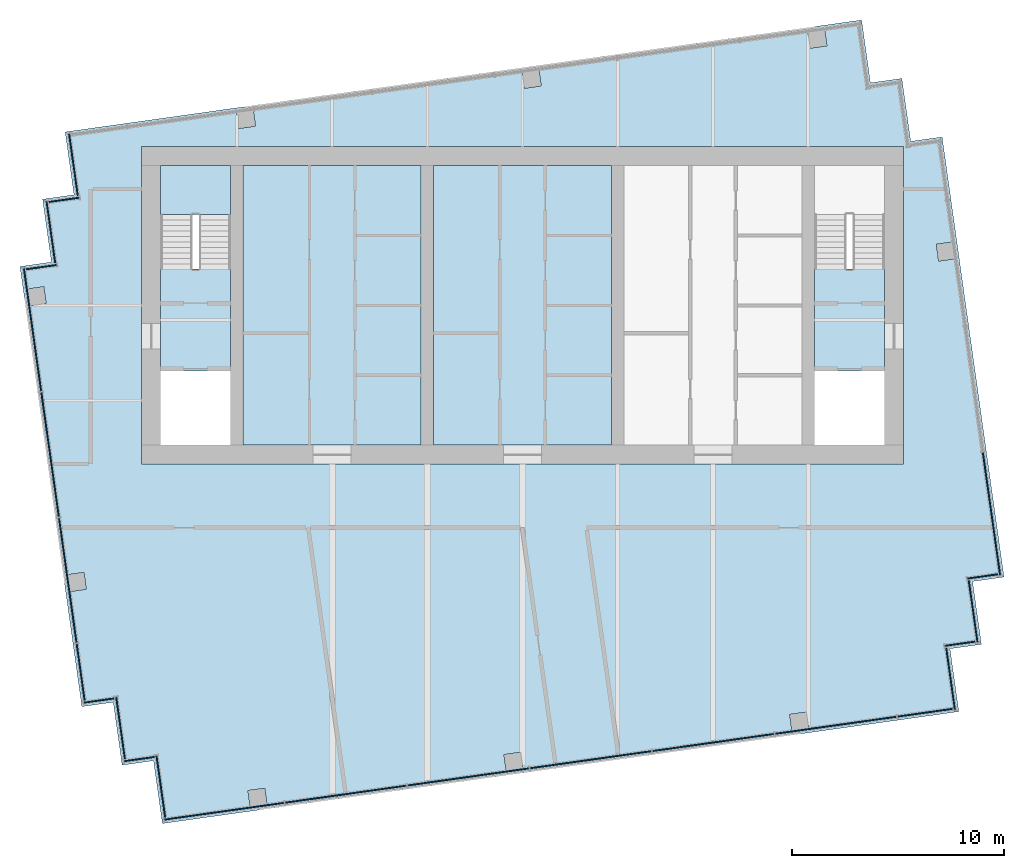
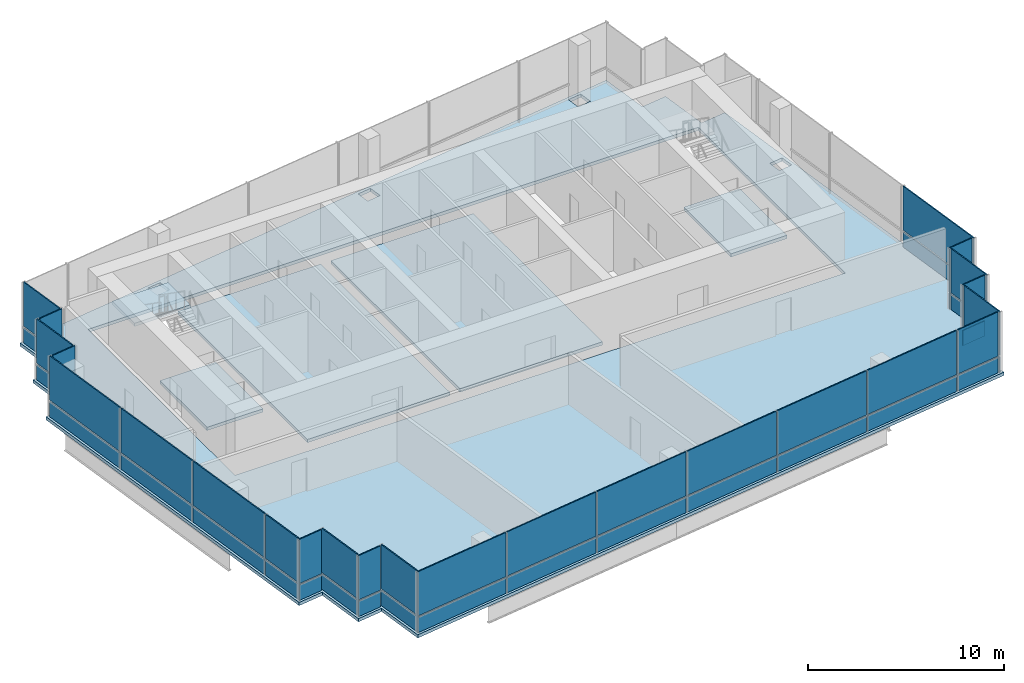
# One storey, part 6 of 10: 48 plates, 6 slabs, 16 elements without a shape of their own.
"""IFC4 building model written with IfcOpenShell, lengths in metres."""

from ifc_helpers import new_model, si_unit, direction, frame, origin, origin_2d, place, context, subcontext, project, spatial, polyline, rectangle, outline, extrude, material, layer, layer_set, type_object, element, aggregate, save


model = new_model("IFC4")

# Units and contexts
model_context = context("Model", 3, precision=1e-05, world=origin(), true_north=direction((0.0, 1.0)))
body_context = subcontext(model_context, "Body", "Model", "MODEL_VIEW")
ifc_project = project(units=[si_unit("LENGTHUNIT", "METRE"), si_unit("AREAUNIT", "SQUARE_METRE"), si_unit("VOLUMEUNIT", "CUBIC_METRE"), si_unit("PLANEANGLEUNIT", "RADIAN"), si_unit("MASSUNIT", "GRAM", prefix="KILO")], contexts=[model_context])

# Site, building, storey
site_placement = place(None, origin())
site = spatial("IfcSite", under=ifc_project, at=site_placement, CompositionType="ELEMENT")
building_placement = place(site_placement, origin())
building = spatial("IfcBuilding", under=site, at=building_placement, Name="Rattan Terrace Tower", CompositionType="ELEMENT")
storey_placement = place(building_placement, frame((0.0, 0.0, 300.300048828125)))
storey = spatial("IfcBuildingStorey", under=building, at=storey_placement, Name="C03", CompositionType="ELEMENT", Elevation=300.300048828125)

# Stair, slab
ifc_material_1 = material(Name="Concrete C40/50", Category="concrete")
stair_type = type_object("IfcStairType", Name="Core exit stair 1500", PredefinedType="HALF_TURN_STAIR", material=ifc_material_1)
stair_placement = place(storey_placement, origin())
stair = element("IfcStair", 1, at=stair_placement, inside=storey, type_object=stair_type, Name="C03 exit stair 1", PredefinedType="HALF_TURN_STAIR")
ifc_material_2 = material(Name="Concrete C40/50", Category="concrete")
ifc_layer_1 = layer(ifc_material_2, 0.199951171875)
ifc_layer_set_1 = layer_set([ifc_layer_1], Name="Core exit stair landing")
slab_type_1 = type_object("IfcSlabType", Name="Core exit stair landing", PredefinedType="LANDING", material=ifc_layer_set_1)
slab_1_placement = place(storey_placement, frame((0.0, 0.0, 1.800048828125)))
slab_1 = element("IfcSlab", 2, at=slab_1_placement, type_object=slab_type_1, Name="S1 landing 1", PredefinedType="LANDING", context=body_context, shape_type="SweptSolid", body=[
    extrude(outline(polyline([(-13.800048828125, 4.300048828125), (-13.800048828125, 6.60009765625), (-17.10009765625, 6.60009765625), (-17.10009765625, 4.300048828125), (-13.800048828125, 4.300048828125)])), origin(), (0.0, 0.0, 1.0), 0.199951171875),
])
aggregate(stair, [slab_1])

# Slabs
ifc_material_3 = material(Name="Concrete C35/45", Category="concrete")
ifc_layer_2 = layer(ifc_material_3, 0.199951171875)
ifc_layer_set_2 = layer_set([ifc_layer_2], Name="Frame composite floor slab 200")
slab_type_2 = type_object("IfcSlabType", Name="Frame composite floor slab 200", PredefinedType="FLOOR", material=ifc_layer_set_2)
slab_2_placement = place(storey_placement, frame((0.0, 0.0, -0.199951171875)))
element("IfcSlab", 3, at=slab_2_placement, inside=storey, type_object=slab_type_2, Name="Floor slab", PredefinedType="FLOOR", context=body_context, shape_type="SweptSolid", body=[
    extrude(outline(polyline([(-22.260986328125, 2.0458984375), (-23.7470703125, 1.8369140625), (-20.823974609375, -18.958984375), (-19.340087890625, -18.75), (-18.9208984375, -21.722900390625), (-17.43701171875, -21.514892578125), (-17.01904296875, -24.48388671875), (-16.52392578125, -24.4140625), (20.115966796875, -19.263916015625), (20.612060546875, -19.195068359375), (20.195068359375, -16.22509765625), (21.678955078125, -16.01611328125), (21.260986328125, -13.0458984375), (22.7470703125, -12.8369140625), (19.823974609375, 7.958984375), (18.340087890625, 7.75), (17.9208984375, 10.722900390625), (16.43701171875, 10.514892578125), (16.01904296875, 13.48388671875), (15.52392578125, 13.4140625), (-21.115966796875, 8.263916015625), (-21.612060546875, 8.195068359375), (-21.195068359375, 5.22509765625), (-22.678955078125, 5.01611328125), (-22.260986328125, 2.0458984375)]), holes=[polyline([(-12.0732421875, -23.6064453125), (-12.1845703125, -22.814208984375), (-12.976806640625, -22.925537109375), (-12.865478515625, -23.7177734375), (-12.0732421875, -23.6064453125)]), polyline([(0.022705078125, -21.906494140625), (-0.088623046875, -21.1142578125), (-0.880859375, -21.2255859375), (-0.769287109375, -22.017822265625), (0.022705078125, -21.906494140625)]), polyline([(-20.7255859375, -12.619140625), (-21.517822265625, -12.730712890625), (-21.406494140625, -13.522705078125), (-20.6142578125, -13.411376953125), (-20.7255859375, -12.619140625)]), polyline([(-18.0, -6.60009765625), (-18.0, -7.5), (18.0, -7.5), (18.0, -6.60009765625), (18.0, 6.60009765625), (18.0, 7.5), (-18.0, 7.5), (-18.0, 6.60009765625), (-18.0, -6.60009765625)]), polyline([(-22.51123046875, 0.088623046875), (-22.62255859375, 0.880859375), (-23.414794921875, 0.769287109375), (-23.303466796875, -0.022705078125), (-22.51123046875, 0.088623046875)]), polyline([(-12.619140625, 8.468505859375), (-12.730712890625, 9.2607421875), (-13.522705078125, 9.1494140625), (-13.411376953125, 8.357177734375), (-12.619140625, 8.468505859375)]), polyline([(13.522705078125, -20.009521484375), (13.411376953125, -19.21728515625), (12.619140625, -19.32861328125), (12.730712890625, -20.120849609375), (13.522705078125, -20.009521484375)]), polyline([(20.45068359375, 2.20556640625), (20.33935546875, 2.997802734375), (19.547119140625, 2.886474609375), (19.65869140625, 2.09423828125), (20.45068359375, 2.20556640625)]), polyline([(0.088623046875, 10.255126953125), (0.880859375, 10.36669921875), (0.769287109375, 11.15869140625), (-0.022705078125, 11.04736328125), (0.088623046875, 10.255126953125)]), polyline([(13.588623046875, 12.152099609375), (14.380859375, 12.263671875), (14.269287109375, 13.055908203125), (13.477294921875, 12.9443359375), (13.588623046875, 12.152099609375)])]), origin(), (0.0, 0.0, 1.0), 0.199951171875),
])
slab_3_placement = place(storey_placement, frame((0.0, 0.0, -0.199951171875)))
element("IfcSlab", 4, at=slab_3_placement, inside=storey, type_object=slab_type_2, Name="Floor slab", PredefinedType="FLOOR", context=body_context, shape_type="SweptSolid", body=[
    extrude(outline(polyline([(-13.199951171875, 6.60009765625), (-13.199951171875, -6.60009765625), (-4.800048828125, -6.60009765625), (-4.800048828125, 6.60009765625), (-13.199951171875, 6.60009765625)])), origin(), (0.0, 0.0, 1.0), 0.199951171875),
])
slab_4_placement = place(storey_placement, frame((0.0, 0.0, -0.199951171875)))
element("IfcSlab", 5, at=slab_4_placement, inside=storey, type_object=slab_type_2, Name="Floor slab", PredefinedType="FLOOR", context=body_context, shape_type="SweptSolid", body=[
    extrude(outline(polyline([(-4.199951171875, 6.60009765625), (-4.199951171875, -6.60009765625), (4.199951171875, -6.60009765625), (4.199951171875, 6.60009765625), (-4.199951171875, 6.60009765625)])), origin(), (0.0, 0.0, 1.0), 0.199951171875),
])
slab_5_placement = place(storey_placement, frame((0.0, 0.0, -0.199951171875)))
element("IfcSlab", 6, at=slab_5_placement, inside=storey, type_object=slab_type_2, Name="Floor slab", PredefinedType="FLOOR", context=body_context, shape_type="SweptSolid", body=[
    extrude(outline(polyline([(-13.800048828125, -3.10009765625), (-13.800048828125, 1.7099609375), (-17.10009765625, 1.7099609375), (-17.10009765625, -3.10009765625), (-13.800048828125, -3.10009765625)])), origin(), (0.0, 0.0, 1.0), 0.199951171875),
])
slab_6_placement = place(storey_placement, frame((0.0, 0.0, -0.199951171875)))
element("IfcSlab", 7, at=slab_6_placement, inside=storey, type_object=slab_type_2, Name="Floor slab", PredefinedType="FLOOR", context=body_context, shape_type="SweptSolid", body=[
    extrude(outline(polyline([(13.800048828125, -3.10009765625), (17.10009765625, -3.10009765625), (17.10009765625, 1.7099609375), (13.800048828125, 1.7099609375), (13.800048828125, -3.10009765625)])), origin(), (0.0, 0.0, 1.0), 0.199951171875),
])

# Curtain wall, plates
ifc_material_4 = material(Name="Aluminium and laminated glass", Category="aluminium")
ifc_layer_3 = layer(ifc_material_4, 0.239990234375)
ifc_layer_set_3 = layer_set([ifc_layer_3], Name="Lantern Stick Curtain Wall")
curtain_wall_type = type_object("IfcCurtainWallType", Name="Lantern Stick Curtain Wall", PredefinedType="NOTDEFINED", material=ifc_layer_set_3)
curtain_wall_1_placement = place(storey_placement, origin())
curtain_wall_1 = element("IfcCurtainWall", 8, at=curtain_wall_1_placement, inside=storey, type_object=curtain_wall_type, Name="Lantern curtain wall C03-1", PredefinedType="NOTDEFINED")
ifc_material_5 = material(Name="Laminated low-iron glass", Category="glass")
ifc_layer_4 = layer(ifc_material_5, 0.06591796875)
ifc_layer_set_4 = layer_set([ifc_layer_4], Name="Lantern CW Laminated Panel")
plate_type = type_object("IfcPlateType", Name="Lantern CW Laminated Panel", PredefinedType="CURTAIN_PANEL", material=ifc_layer_set_4)
plate_1_placement = place(storey_placement, frame((-23.1552734375, -1.152099609375, 0.0), z_axis=(0.0, 0.0, 1.0), x_axis=(0.139187707455, -0.990266015823, 0.0)))
plate_1 = element("IfcPlate", 9, at=plate_1_placement, type_object=plate_type, Name="Panel cwl-C03-001.1.1", PredefinedType="CURTAIN_PANEL", context=body_context, shape_type="SweptSolid", body=[
    extrude(rectangle(XDim=5.844970703125, YDim=0.06591796875, at=origin_2d()), origin(), (0.0, 0.0, 1.0), 0.949951171875),
])
plate_2_placement = place(storey_placement, frame((-23.1552734375, -1.152099609375, 1.050048828125), z_axis=(0.0, 0.0, 1.0), x_axis=(0.139187707455, -0.990266015823, 0.0)))
plate_2 = element("IfcPlate", 10, at=plate_2_placement, type_object=plate_type, Name="Panel cwl-C03-001.1.2", PredefinedType="CURTAIN_PANEL", context=body_context, shape_type="SweptSolid", body=[
    extrude(rectangle(XDim=5.844970703125, YDim=0.06591796875, at=origin_2d()), origin(), (0.0, 0.0, 1.0), 2.75),
])
plate_3_placement = place(storey_placement, frame((-22.325927734375, -7.0517578125, 0.0), z_axis=(0.0, 0.0, 1.0), x_axis=(0.139187707455, -0.990266015823, 0.0)))
plate_3 = element("IfcPlate", 11, at=plate_3_placement, type_object=plate_type, Name="Panel cwl-C03-001.2.1", PredefinedType="CURTAIN_PANEL", context=body_context, shape_type="SweptSolid", body=[
    extrude(rectangle(XDim=5.929931640625, YDim=0.06591796875, at=origin_2d()), origin(), (0.0, 0.0, 1.0), 0.949951171875),
])
plate_4_placement = place(storey_placement, frame((-22.325927734375, -7.0517578125, 1.050048828125), z_axis=(0.0, 0.0, 1.0), x_axis=(0.139187707455, -0.990266015823, 0.0)))
plate_4 = element("IfcPlate", 12, at=plate_4_placement, type_object=plate_type, Name="Panel cwl-C03-001.2.2", PredefinedType="CURTAIN_PANEL", context=body_context, shape_type="SweptSolid", body=[
    extrude(rectangle(XDim=5.929931640625, YDim=0.06591796875, at=origin_2d()), origin(), (0.0, 0.0, 1.0), 2.75),
])
plate_5_placement = place(storey_placement, frame((-21.49072265625, -12.993408203125, 0.0), z_axis=(0.0, 0.0, 1.0), x_axis=(0.139187707455, -0.990266015823, 0.0)))
plate_5 = element("IfcPlate", 13, at=plate_5_placement, type_object=plate_type, Name="Panel cwl-C03-001.3.1", PredefinedType="CURTAIN_PANEL", context=body_context, shape_type="SweptSolid", body=[
    extrude(rectangle(XDim=5.929931640625, YDim=0.06591796875, at=origin_2d()), origin(), (0.0, 0.0, 1.0), 0.949951171875),
])
plate_6_placement = place(storey_placement, frame((-21.49072265625, -12.993408203125, 1.050048828125), z_axis=(0.0, 0.0, 1.0), x_axis=(0.139187707455, -0.990266015823, 0.0)))
plate_6 = element("IfcPlate", 14, at=plate_6_placement, type_object=plate_type, Name="Panel cwl-C03-001.3.2", PredefinedType="CURTAIN_PANEL", context=body_context, shape_type="SweptSolid", body=[
    extrude(rectangle(XDim=5.929931640625, YDim=0.06591796875, at=origin_2d()), origin(), (0.0, 0.0, 1.0), 2.75),
])
plate_7_placement = place(storey_placement, frame((-20.88232421875, -17.323486328125, 0.0), z_axis=(0.0, 0.0, 1.0), x_axis=(0.139187707455, -0.990266015823, 0.0)))
plate_7 = element("IfcPlate", 15, at=plate_7_placement, type_object=plate_type, Name="Panel cwl-C03-001.4.1", PredefinedType="CURTAIN_PANEL", context=body_context, shape_type="SweptSolid", body=[
    extrude(rectangle(XDim=2.67529296875, YDim=0.06591796875, at=origin_2d()), origin(), (0.0, 0.0, 1.0), 0.949951171875),
])
plate_8_placement = place(storey_placement, frame((-20.88232421875, -17.323486328125, 1.050048828125), z_axis=(0.0, 0.0, 1.0), x_axis=(0.139187707455, -0.990266015823, 0.0)))
plate_8 = element("IfcPlate", 16, at=plate_8_placement, type_object=plate_type, Name="Panel cwl-C03-001.4.2", PredefinedType="CURTAIN_PANEL", context=body_context, shape_type="SweptSolid", body=[
    extrude(rectangle(XDim=2.67529296875, YDim=0.06591796875, at=origin_2d()), origin(), (0.0, 0.0, 1.0), 2.75),
])
aggregate(curtain_wall_1, [plate_1, plate_2, plate_3, plate_4, plate_5, plate_6, plate_7, plate_8])

curtain_wall_2_placement = place(storey_placement, origin())
curtain_wall_2 = element("IfcCurtainWall", 17, at=curtain_wall_2_placement, inside=storey, type_object=curtain_wall_type, Name="Lantern curtain wall C03-2", PredefinedType="NOTDEFINED")
plate_9_placement = place(storey_placement, frame((-20.021484375, -18.67431640625, 0.0), z_axis=(0.0, 0.0, 1.0), x_axis=(0.990227803001, 0.139459306479, 0.0)))
plate_9 = element("IfcPlate", 18, at=plate_9_placement, type_object=plate_type, Name="Panel cwl-C03-002.1.1", PredefinedType="CURTAIN_PANEL", context=body_context, shape_type="SweptSolid", body=[
    extrude(rectangle(XDim=1.428466796875, YDim=0.06591796875, at=origin_2d()), origin(), (0.0, 0.0, 1.0), 0.949951171875),
])
plate_10_placement = place(storey_placement, frame((-20.021484375, -18.67431640625, 1.050048828125), z_axis=(0.0, 0.0, 1.0), x_axis=(0.990227803001, 0.139459306479, 0.0)))
plate_10 = element("IfcPlate", 19, at=plate_10_placement, type_object=plate_type, Name="Panel cwl-C03-002.1.2", PredefinedType="CURTAIN_PANEL", context=body_context, shape_type="SweptSolid", body=[
    extrude(rectangle(XDim=1.428466796875, YDim=0.06591796875, at=origin_2d()), origin(), (0.0, 0.0, 1.0), 2.75),
])
aggregate(curtain_wall_2, [plate_9, plate_10])

curtain_wall_3_placement = place(storey_placement, origin())
curtain_wall_3 = element("IfcCurtainWall", 20, at=curtain_wall_3_placement, inside=storey, type_object=curtain_wall_type, Name="Lantern curtain wall C03-3", PredefinedType="NOTDEFINED")
plate_11_placement = place(storey_placement, frame((-18.997802734375, -19.96044921875, 0.0), z_axis=(0.0, 0.0, 1.0), x_axis=(0.139555918709, -0.990214191755, 0.0)))
plate_11 = element("IfcPlate", 21, at=plate_11_placement, type_object=plate_type, Name="Panel cwl-C03-003.1.1", PredefinedType="CURTAIN_PANEL", context=body_context, shape_type="SweptSolid", body=[
    extrude(rectangle(XDim=2.932373046875, YDim=0.06591796875, at=origin_2d()), origin(), (0.0, 0.0, 1.0), 0.949951171875),
])
plate_12_placement = place(storey_placement, frame((-18.997802734375, -19.96044921875, 1.050048828125), z_axis=(0.0, 0.0, 1.0), x_axis=(0.139555918709, -0.990214191755, 0.0)))
plate_12 = element("IfcPlate", 22, at=plate_12_placement, type_object=plate_type, Name="Panel cwl-C03-003.1.2", PredefinedType="CURTAIN_PANEL", context=body_context, shape_type="SweptSolid", body=[
    extrude(rectangle(XDim=2.932373046875, YDim=0.06591796875, at=origin_2d()), origin(), (0.0, 0.0, 1.0), 2.75),
])
aggregate(curtain_wall_3, [plate_11, plate_12])

curtain_wall_4_placement = place(storey_placement, origin())
curtain_wall_4 = element("IfcCurtainWall", 23, at=curtain_wall_4_placement, inside=storey, type_object=curtain_wall_type, Name="Lantern curtain wall C03-4", PredefinedType="NOTDEFINED")
plate_13_placement = place(storey_placement, frame((-18.11865234375, -21.43896484375, 0.0), z_axis=(0.0, 0.0, 1.0), x_axis=(0.990319742912, 0.13880492354, 0.0)))
plate_13 = element("IfcPlate", 24, at=plate_13_placement, type_object=plate_type, Name="Panel cwl-C03-004.1.1", PredefinedType="CURTAIN_PANEL", context=body_context, shape_type="SweptSolid", body=[
    extrude(rectangle(XDim=1.428466796875, YDim=0.06591796875, at=origin_2d()), origin(), (0.0, 0.0, 1.0), 0.949951171875),
])
plate_14_placement = place(storey_placement, frame((-18.11865234375, -21.43896484375, 1.050048828125), z_axis=(0.0, 0.0, 1.0), x_axis=(0.990319742912, 0.13880492354, 0.0)))
plate_14 = element("IfcPlate", 25, at=plate_14_placement, type_object=plate_type, Name="Panel cwl-C03-004.1.2", PredefinedType="CURTAIN_PANEL", context=body_context, shape_type="SweptSolid", body=[
    extrude(rectangle(XDim=1.428466796875, YDim=0.06591796875, at=origin_2d()), origin(), (0.0, 0.0, 1.0), 2.75),
])
aggregate(curtain_wall_4, [plate_13, plate_14])

curtain_wall_5_placement = place(storey_placement, origin())
curtain_wall_5 = element("IfcCurtainWall", 26, at=curtain_wall_5_placement, inside=storey, type_object=curtain_wall_type, Name="Lantern curtain wall C03-5", PredefinedType="NOTDEFINED")
plate_15_placement = place(storey_placement, frame((-17.09521484375, -22.723388671875, 0.0), z_axis=(0.0, 0.0, 1.0), x_axis=(0.139413247769, -0.990234288614, 0.0)))
plate_15 = element("IfcPlate", 27, at=plate_15_placement, type_object=plate_type, Name="Panel cwl-C03-005.1.1", PredefinedType="CURTAIN_PANEL", context=body_context, shape_type="SweptSolid", body=[
    extrude(rectangle(XDim=2.92822265625, YDim=0.06591796875, at=origin_2d()), origin(), (0.0, 0.0, 1.0), 0.949951171875),
])
plate_16_placement = place(storey_placement, frame((-17.09521484375, -22.723388671875, 1.050048828125), z_axis=(0.0, 0.0, 1.0), x_axis=(0.139413247769, -0.990234288614, 0.0)))
plate_16 = element("IfcPlate", 28, at=plate_16_placement, type_object=plate_type, Name="Panel cwl-C03-005.1.2", PredefinedType="CURTAIN_PANEL", context=body_context, shape_type="SweptSolid", body=[
    extrude(rectangle(XDim=2.92822265625, YDim=0.06591796875, at=origin_2d()), origin(), (0.0, 0.0, 1.0), 2.75),
])
aggregate(curtain_wall_5, [plate_15, plate_16])

curtain_wall_6_placement = place(storey_placement, origin())
curtain_wall_6 = element("IfcCurtainWall", 29, at=curtain_wall_6_placement, inside=storey, type_object=curtain_wall_type, Name="Lantern curtain wall C03-6", PredefinedType="NOTDEFINED")
plate_17_placement = place(storey_placement, frame((-14.10595703125, -23.90283203125, 0.0), z_axis=(0.0, 0.0, 1.0), x_axis=(0.990266952226, 0.13918104515, 0.0)))
plate_17 = element("IfcPlate", 30, at=plate_17_placement, type_object=plate_type, Name="Panel cwl-C03-006.1.1", PredefinedType="CURTAIN_PANEL", context=body_context, shape_type="SweptSolid", body=[
    extrude(rectangle(XDim=5.69091796875, YDim=0.06591796875, at=origin_2d()), origin(), (0.0, 0.0, 1.0), 0.949951171875),
])
plate_18_placement = place(storey_placement, frame((-14.10595703125, -23.90283203125, 1.050048828125), z_axis=(0.0, 0.0, 1.0), x_axis=(0.990266952226, 0.13918104515, 0.0)))
plate_18 = element("IfcPlate", 31, at=plate_18_placement, type_object=plate_type, Name="Panel cwl-C03-006.1.2", PredefinedType="CURTAIN_PANEL", context=body_context, shape_type="SweptSolid", body=[
    extrude(rectangle(XDim=5.69091796875, YDim=0.06591796875, at=origin_2d()), origin(), (0.0, 0.0, 1.0), 2.75),
])
plate_19_placement = place(storey_placement, frame((-8.359130859375, -23.09521484375, 0.0), z_axis=(0.0, 0.0, 1.0), x_axis=(0.990266952226, 0.13918104515, 0.0)))
plate_19 = element("IfcPlate", 32, at=plate_19_placement, type_object=plate_type, Name="Panel cwl-C03-006.2.1", PredefinedType="CURTAIN_PANEL", context=body_context, shape_type="SweptSolid", body=[
    extrude(rectangle(XDim=5.77587890625, YDim=0.06591796875, at=origin_2d()), origin(), (0.0, 0.0, 1.0), 0.949951171875),
])
plate_20_placement = place(storey_placement, frame((-8.359130859375, -23.09521484375, 1.050048828125), z_axis=(0.0, 0.0, 1.0), x_axis=(0.990266952226, 0.13918104515, 0.0)))
plate_20 = element("IfcPlate", 33, at=plate_20_placement, type_object=plate_type, Name="Panel cwl-C03-006.2.2", PredefinedType="CURTAIN_PANEL", context=body_context, shape_type="SweptSolid", body=[
    extrude(rectangle(XDim=5.77587890625, YDim=0.06591796875, at=origin_2d()), origin(), (0.0, 0.0, 1.0), 2.75),
])
plate_21_placement = place(storey_placement, frame((-2.570068359375, -22.281494140625, 0.0), z_axis=(0.0, 0.0, 1.0), x_axis=(0.990266952226, 0.13918104515, 0.0)))
plate_21 = element("IfcPlate", 34, at=plate_21_placement, type_object=plate_type, Name="Panel cwl-C03-006.3.1", PredefinedType="CURTAIN_PANEL", context=body_context, shape_type="SweptSolid", body=[
    extrude(rectangle(XDim=5.77587890625, YDim=0.06591796875, at=origin_2d()), origin(), (0.0, 0.0, 1.0), 0.949951171875),
])
plate_22_placement = place(storey_placement, frame((-2.570068359375, -22.281494140625, 1.050048828125), z_axis=(0.0, 0.0, 1.0), x_axis=(0.990266952226, 0.13918104515, 0.0)))
plate_22 = element("IfcPlate", 35, at=plate_22_placement, type_object=plate_type, Name="Panel cwl-C03-006.3.2", PredefinedType="CURTAIN_PANEL", context=body_context, shape_type="SweptSolid", body=[
    extrude(rectangle(XDim=5.77587890625, YDim=0.06591796875, at=origin_2d()), origin(), (0.0, 0.0, 1.0), 2.75),
])
plate_23_placement = place(storey_placement, frame((3.21923828125, -21.4677734375, 0.0), z_axis=(0.0, 0.0, 1.0), x_axis=(0.990266952226, 0.13918104515, 0.0)))
plate_23 = element("IfcPlate", 36, at=plate_23_placement, type_object=plate_type, Name="Panel cwl-C03-006.4.1", PredefinedType="CURTAIN_PANEL", context=body_context, shape_type="SweptSolid", body=[
    extrude(rectangle(XDim=5.77587890625, YDim=0.06591796875, at=origin_2d()), origin(), (0.0, 0.0, 1.0), 0.949951171875),
])
plate_24_placement = place(storey_placement, frame((3.21923828125, -21.4677734375, 1.050048828125), z_axis=(0.0, 0.0, 1.0), x_axis=(0.990266952226, 0.13918104515, 0.0)))
plate_24 = element("IfcPlate", 37, at=plate_24_placement, type_object=plate_type, Name="Panel cwl-C03-006.4.2", PredefinedType="CURTAIN_PANEL", context=body_context, shape_type="SweptSolid", body=[
    extrude(rectangle(XDim=5.77587890625, YDim=0.06591796875, at=origin_2d()), origin(), (0.0, 0.0, 1.0), 2.75),
])
plate_25_placement = place(storey_placement, frame((9.00830078125, -20.654296875, 0.0), z_axis=(0.0, 0.0, 1.0), x_axis=(0.990266952226, 0.13918104515, 0.0)))
plate_25 = element("IfcPlate", 38, at=plate_25_placement, type_object=plate_type, Name="Panel cwl-C03-006.5.1", PredefinedType="CURTAIN_PANEL", context=body_context, shape_type="SweptSolid", body=[
    extrude(rectangle(XDim=5.77587890625, YDim=0.06591796875, at=origin_2d()), origin(), (0.0, 0.0, 1.0), 0.949951171875),
])
plate_26_placement = place(storey_placement, frame((9.00830078125, -20.654296875, 1.050048828125), z_axis=(0.0, 0.0, 1.0), x_axis=(0.990266952226, 0.13918104515, 0.0)))
plate_26 = element("IfcPlate", 39, at=plate_26_placement, type_object=plate_type, Name="Panel cwl-C03-006.5.2", PredefinedType="CURTAIN_PANEL", context=body_context, shape_type="SweptSolid", body=[
    extrude(rectangle(XDim=5.77587890625, YDim=0.06591796875, at=origin_2d()), origin(), (0.0, 0.0, 1.0), 2.75),
])
plate_27_placement = place(storey_placement, frame((14.79736328125, -19.840576171875, 0.0), z_axis=(0.0, 0.0, 1.0), x_axis=(0.990266952226, 0.13918104515, 0.0)))
plate_27 = element("IfcPlate", 40, at=plate_27_placement, type_object=plate_type, Name="Panel cwl-C03-006.6.1", PredefinedType="CURTAIN_PANEL", context=body_context, shape_type="SweptSolid", body=[
    extrude(rectangle(XDim=5.77587890625, YDim=0.06591796875, at=origin_2d()), origin(), (0.0, 0.0, 1.0), 0.949951171875),
])
plate_28_placement = place(storey_placement, frame((14.79736328125, -19.840576171875, 1.050048828125), z_axis=(0.0, 0.0, 1.0), x_axis=(0.990266952226, 0.13918104515, 0.0)))
plate_28 = element("IfcPlate", 41, at=plate_28_placement, type_object=plate_type, Name="Panel cwl-C03-006.6.2", PredefinedType="CURTAIN_PANEL", context=body_context, shape_type="SweptSolid", body=[
    extrude(rectangle(XDim=5.77587890625, YDim=0.06591796875, at=origin_2d()), origin(), (0.0, 0.0, 1.0), 2.75),
])
plate_29_placement = place(storey_placement, frame((19.013916015625, -19.248046875, 0.0), z_axis=(0.0, 0.0, 1.0), x_axis=(0.990266952226, 0.13918104515, 0.0)))
plate_29 = element("IfcPlate", 42, at=plate_29_placement, type_object=plate_type, Name="Panel cwl-C03-006.7.1", PredefinedType="CURTAIN_PANEL", context=body_context, shape_type="SweptSolid", body=[
    extrude(rectangle(XDim=2.599853515625, YDim=0.06591796875, at=origin_2d()), origin(), (0.0, 0.0, 1.0), 0.949951171875),
])
plate_30_placement = place(storey_placement, frame((19.013916015625, -19.248046875, 1.050048828125), z_axis=(0.0, 0.0, 1.0), x_axis=(0.990266952226, 0.13918104515, 0.0)))
plate_30 = element("IfcPlate", 43, at=plate_30_placement, type_object=plate_type, Name="Panel cwl-C03-006.7.2", PredefinedType="CURTAIN_PANEL", context=body_context, shape_type="SweptSolid", body=[
    extrude(rectangle(XDim=2.599853515625, YDim=0.06591796875, at=origin_2d()), origin(), (0.0, 0.0, 1.0), 2.75),
])
aggregate(curtain_wall_6, [plate_17, plate_18, plate_19, plate_20, plate_21, plate_22, plate_23, plate_24, plate_25, plate_26, plate_27, plate_28, plate_29, plate_30])

curtain_wall_7_placement = place(storey_placement, origin())
curtain_wall_7 = element("IfcCurtainWall", 44, at=curtain_wall_7_placement, inside=storey, type_object=curtain_wall_type, Name="Lantern curtain wall C03-7", PredefinedType="NOTDEFINED")
plate_31_placement = place(storey_placement, frame((20.223388671875, -17.6494140625, 0.0), z_axis=(0.0, 0.0, 1.0), x_axis=(-0.139040257974, 0.990286729519, 0.0)))
plate_31 = element("IfcPlate", 45, at=plate_31_placement, type_object=plate_type, Name="Panel cwl-C03-007.1.1", PredefinedType="CURTAIN_PANEL", context=body_context, shape_type="SweptSolid", body=[
    extrude(rectangle(XDim=2.92919921875, YDim=0.06591796875, at=origin_2d()), origin(), (0.0, 0.0, 1.0), 0.949951171875),
])
plate_32_placement = place(storey_placement, frame((20.223388671875, -17.6494140625, 1.050048828125), z_axis=(0.0, 0.0, 1.0), x_axis=(-0.139040257974, 0.990286729519, 0.0)))
plate_32 = element("IfcPlate", 46, at=plate_32_placement, type_object=plate_type, Name="Panel cwl-C03-007.1.2", PredefinedType="CURTAIN_PANEL", context=body_context, shape_type="SweptSolid", body=[
    extrude(rectangle(XDim=2.92919921875, YDim=0.06591796875, at=origin_2d()), origin(), (0.0, 0.0, 1.0), 2.75),
])
aggregate(curtain_wall_7, [plate_31, plate_32])

curtain_wall_8_placement = place(storey_placement, origin())
curtain_wall_8 = element("IfcCurtainWall", 47, at=curtain_wall_8_placement, inside=storey, type_object=curtain_wall_type, Name="Lantern curtain wall C03-8", PredefinedType="NOTDEFINED")
plate_33_placement = place(storey_placement, frame((20.660888671875, -15.98779296875, 0.0), z_axis=(0.0, 0.0, 1.0), x_axis=(0.990227803001, 0.139459306479, 0.0)))
plate_33 = element("IfcPlate", 48, at=plate_33_placement, type_object=plate_type, Name="Panel cwl-C03-008.1.1", PredefinedType="CURTAIN_PANEL", context=body_context, shape_type="SweptSolid", body=[
    extrude(rectangle(XDim=1.4287109375, YDim=0.06591796875, at=origin_2d()), origin(), (0.0, 0.0, 1.0), 0.949951171875),
])
plate_34_placement = place(storey_placement, frame((20.660888671875, -15.98779296875, 1.050048828125), z_axis=(0.0, 0.0, 1.0), x_axis=(0.990227803001, 0.139459306479, 0.0)))
plate_34 = element("IfcPlate", 49, at=plate_34_placement, type_object=plate_type, Name="Panel cwl-C03-008.1.2", PredefinedType="CURTAIN_PANEL", context=body_context, shape_type="SweptSolid", body=[
    extrude(rectangle(XDim=1.4287109375, YDim=0.06591796875, at=origin_2d()), origin(), (0.0, 0.0, 1.0), 2.75),
])
aggregate(curtain_wall_8, [plate_33, plate_34])

curtain_wall_9_placement = place(storey_placement, origin())
curtain_wall_9 = element("IfcCurtainWall", 50, at=curtain_wall_9_placement, inside=storey, type_object=curtain_wall_type, Name="Lantern curtain wall C03-9", PredefinedType="NOTDEFINED")
plate_35_placement = place(storey_placement, frame((21.289794921875, -14.470458984375, 0.0), z_axis=(0.0, 0.0, 1.0), x_axis=(-0.139367219175, 0.990240767803, 0.0)))
plate_35 = element("IfcPlate", 51, at=plate_35_placement, type_object=plate_type, Name="Panel cwl-C03-009.1.1", PredefinedType="CURTAIN_PANEL", context=body_context, shape_type="SweptSolid", body=[
    extrude(rectangle(XDim=2.92919921875, YDim=0.06591796875, at=origin_2d()), origin(), (0.0, 0.0, 1.0), 0.949951171875),
])
plate_36_placement = place(storey_placement, frame((21.289794921875, -14.470458984375, 1.050048828125), z_axis=(0.0, 0.0, 1.0), x_axis=(-0.139367219175, 0.990240767803, 0.0)))
plate_36 = element("IfcPlate", 52, at=plate_36_placement, type_object=plate_type, Name="Panel cwl-C03-009.1.2", PredefinedType="CURTAIN_PANEL", context=body_context, shape_type="SweptSolid", body=[
    extrude(rectangle(XDim=2.92919921875, YDim=0.06591796875, at=origin_2d()), origin(), (0.0, 0.0, 1.0), 2.75),
])
aggregate(curtain_wall_9, [plate_35, plate_36])

curtain_wall_10_placement = place(storey_placement, origin())
curtain_wall_10 = element("IfcCurtainWall", 53, at=curtain_wall_10_placement, inside=storey, type_object=curtain_wall_type, Name="Lantern curtain wall C03-10", PredefinedType="NOTDEFINED")
plate_37_placement = place(storey_placement, frame((21.727783203125, -12.80859375, 0.0), z_axis=(0.0, 0.0, 1.0), x_axis=(0.99025370695, 0.139275252184, 0.0)))
plate_37 = element("IfcPlate", 54, at=plate_37_placement, type_object=plate_type, Name="Panel cwl-C03-010.1.1", PredefinedType="CURTAIN_PANEL", context=body_context, shape_type="SweptSolid", body=[
    extrude(rectangle(XDim=1.4306640625, YDim=0.06591796875, at=origin_2d()), origin(), (0.0, 0.0, 1.0), 0.949951171875),
])
plate_38_placement = place(storey_placement, frame((21.727783203125, -12.80859375, 1.050048828125), z_axis=(0.0, 0.0, 1.0), x_axis=(0.99025370695, 0.139275252184, 0.0)))
plate_38 = element("IfcPlate", 55, at=plate_38_placement, type_object=plate_type, Name="Panel cwl-C03-010.1.2", PredefinedType="CURTAIN_PANEL", context=body_context, shape_type="SweptSolid", body=[
    extrude(rectangle(XDim=1.4306640625, YDim=0.06591796875, at=origin_2d()), origin(), (0.0, 0.0, 1.0), 2.75),
])
aggregate(curtain_wall_10, [plate_37, plate_38])

curtain_wall_11_placement = place(storey_placement, origin())
curtain_wall_11 = element("IfcCurtainWall", 56, at=curtain_wall_11_placement, inside=storey, type_object=curtain_wall_type, Name="Lantern curtain wall C03-11", PredefinedType="NOTDEFINED")
plate_39_placement = place(storey_placement, frame((22.1552734375, -9.847900390625, 0.0), z_axis=(0.0, 0.0, 1.0), x_axis=(-0.139187707455, 0.990266015823, 0.0)))
plate_39 = element("IfcPlate", 57, at=plate_39_placement, type_object=plate_type, Name="Panel cwl-C03-011.1.1", PredefinedType="CURTAIN_PANEL", context=body_context, shape_type="SweptSolid", body=[
    extrude(rectangle(XDim=5.844970703125, YDim=0.06591796875, at=origin_2d()), origin(), (0.0, 0.0, 1.0), 0.949951171875),
])
plate_40_placement = place(storey_placement, frame((22.1552734375, -9.847900390625, 1.050048828125), z_axis=(0.0, 0.0, 1.0), x_axis=(-0.139187707455, 0.990266015823, 0.0)))
plate_40 = element("IfcPlate", 58, at=plate_40_placement, type_object=plate_type, Name="Panel cwl-C03-011.1.2", PredefinedType="CURTAIN_PANEL", context=body_context, shape_type="SweptSolid", body=[
    extrude(rectangle(XDim=5.844970703125, YDim=0.06591796875, at=origin_2d()), origin(), (0.0, 0.0, 1.0), 2.75),
])
aggregate(curtain_wall_11, [plate_39, plate_40])

curtain_wall_12_placement = place(storey_placement, origin())
curtain_wall_12 = element("IfcCurtainWall", 59, at=curtain_wall_12_placement, inside=storey, type_object=curtain_wall_type, Name="Lantern curtain wall C03-17", PredefinedType="NOTDEFINED")
plate_41_placement = place(storey_placement, frame((-21.223388671875, 6.6494140625, 0.0), z_axis=(0.0, 0.0, 1.0), x_axis=(0.139040257975, -0.990286729519, 0.0)))
plate_41 = element("IfcPlate", 60, at=plate_41_placement, type_object=plate_type, Name="Panel cwl-C03-017.1.1", PredefinedType="CURTAIN_PANEL", context=body_context, shape_type="SweptSolid", body=[
    extrude(rectangle(XDim=2.92919921875, YDim=0.06591796875, at=origin_2d()), origin(), (0.0, 0.0, 1.0), 0.949951171875),
])
plate_42_placement = place(storey_placement, frame((-21.223388671875, 6.6494140625, 1.050048828125), z_axis=(0.0, 0.0, 1.0), x_axis=(0.139040257975, -0.990286729519, 0.0)))
plate_42 = element("IfcPlate", 61, at=plate_42_placement, type_object=plate_type, Name="Panel cwl-C03-017.1.2", PredefinedType="CURTAIN_PANEL", context=body_context, shape_type="SweptSolid", body=[
    extrude(rectangle(XDim=2.92919921875, YDim=0.06591796875, at=origin_2d()), origin(), (0.0, 0.0, 1.0), 2.75),
])
aggregate(curtain_wall_12, [plate_41, plate_42])

curtain_wall_13_placement = place(storey_placement, origin())
curtain_wall_13 = element("IfcCurtainWall", 62, at=curtain_wall_13_placement, inside=storey, type_object=curtain_wall_type, Name="Lantern curtain wall C03-18", PredefinedType="NOTDEFINED")
plate_43_placement = place(storey_placement, frame((-21.660888671875, 4.98779296875, 0.0), z_axis=(0.0, 0.0, 1.0), x_axis=(-0.990227803001, -0.139459306479, 0.0)))
plate_43 = element("IfcPlate", 63, at=plate_43_placement, type_object=plate_type, Name="Panel cwl-C03-018.1.1", PredefinedType="CURTAIN_PANEL", context=body_context, shape_type="SweptSolid", body=[
    extrude(rectangle(XDim=1.4287109375, YDim=0.06591796875, at=origin_2d()), origin(), (0.0, 0.0, 1.0), 0.949951171875),
])
plate_44_placement = place(storey_placement, frame((-21.660888671875, 4.98779296875, 1.050048828125), z_axis=(0.0, 0.0, 1.0), x_axis=(-0.990227803001, -0.139459306479, 0.0)))
plate_44 = element("IfcPlate", 64, at=plate_44_placement, type_object=plate_type, Name="Panel cwl-C03-018.1.2", PredefinedType="CURTAIN_PANEL", context=body_context, shape_type="SweptSolid", body=[
    extrude(rectangle(XDim=1.4287109375, YDim=0.06591796875, at=origin_2d()), origin(), (0.0, 0.0, 1.0), 2.75),
])
aggregate(curtain_wall_13, [plate_43, plate_44])

curtain_wall_14_placement = place(storey_placement, origin())
curtain_wall_14 = element("IfcCurtainWall", 65, at=curtain_wall_14_placement, inside=storey, type_object=curtain_wall_type, Name="Lantern curtain wall C03-19", PredefinedType="NOTDEFINED")
plate_45_placement = place(storey_placement, frame((-22.289794921875, 3.470458984375, 0.0), z_axis=(0.0, 0.0, 1.0), x_axis=(0.139367219175, -0.990240767803, 0.0)))
plate_45 = element("IfcPlate", 66, at=plate_45_placement, type_object=plate_type, Name="Panel cwl-C03-019.1.1", PredefinedType="CURTAIN_PANEL", context=body_context, shape_type="SweptSolid", body=[
    extrude(rectangle(XDim=2.92919921875, YDim=0.06591796875, at=origin_2d()), origin(), (0.0, 0.0, 1.0), 0.949951171875),
])
plate_46_placement = place(storey_placement, frame((-22.289794921875, 3.470458984375, 1.050048828125), z_axis=(0.0, 0.0, 1.0), x_axis=(0.139367219175, -0.990240767803, 0.0)))
plate_46 = element("IfcPlate", 67, at=plate_46_placement, type_object=plate_type, Name="Panel cwl-C03-019.1.2", PredefinedType="CURTAIN_PANEL", context=body_context, shape_type="SweptSolid", body=[
    extrude(rectangle(XDim=2.92919921875, YDim=0.06591796875, at=origin_2d()), origin(), (0.0, 0.0, 1.0), 2.75),
])
aggregate(curtain_wall_14, [plate_45, plate_46])

curtain_wall_15_placement = place(storey_placement, origin())
curtain_wall_15 = element("IfcCurtainWall", 68, at=curtain_wall_15_placement, inside=storey, type_object=curtain_wall_type, Name="Lantern curtain wall C03-20", PredefinedType="NOTDEFINED")
plate_47_placement = place(storey_placement, frame((-22.727783203125, 1.80859375, 0.0), z_axis=(0.0, 0.0, 1.0), x_axis=(-0.99025370695, -0.139275252184, 0.0)))
plate_47 = element("IfcPlate", 69, at=plate_47_placement, type_object=plate_type, Name="Panel cwl-C03-020.1.1", PredefinedType="CURTAIN_PANEL", context=body_context, shape_type="SweptSolid", body=[
    extrude(rectangle(XDim=1.4306640625, YDim=0.06591796875, at=origin_2d()), origin(), (0.0, 0.0, 1.0), 0.949951171875),
])
plate_48_placement = place(storey_placement, frame((-22.727783203125, 1.80859375, 1.050048828125), z_axis=(0.0, 0.0, 1.0), x_axis=(-0.99025370695, -0.139275252184, 0.0)))
plate_48 = element("IfcPlate", 70, at=plate_48_placement, type_object=plate_type, Name="Panel cwl-C03-020.1.2", PredefinedType="CURTAIN_PANEL", context=body_context, shape_type="SweptSolid", body=[
    extrude(rectangle(XDim=1.4306640625, YDim=0.06591796875, at=origin_2d()), origin(), (0.0, 0.0, 1.0), 2.75),
])
aggregate(curtain_wall_15, [plate_47, plate_48])

save(model, "model.ifc")
